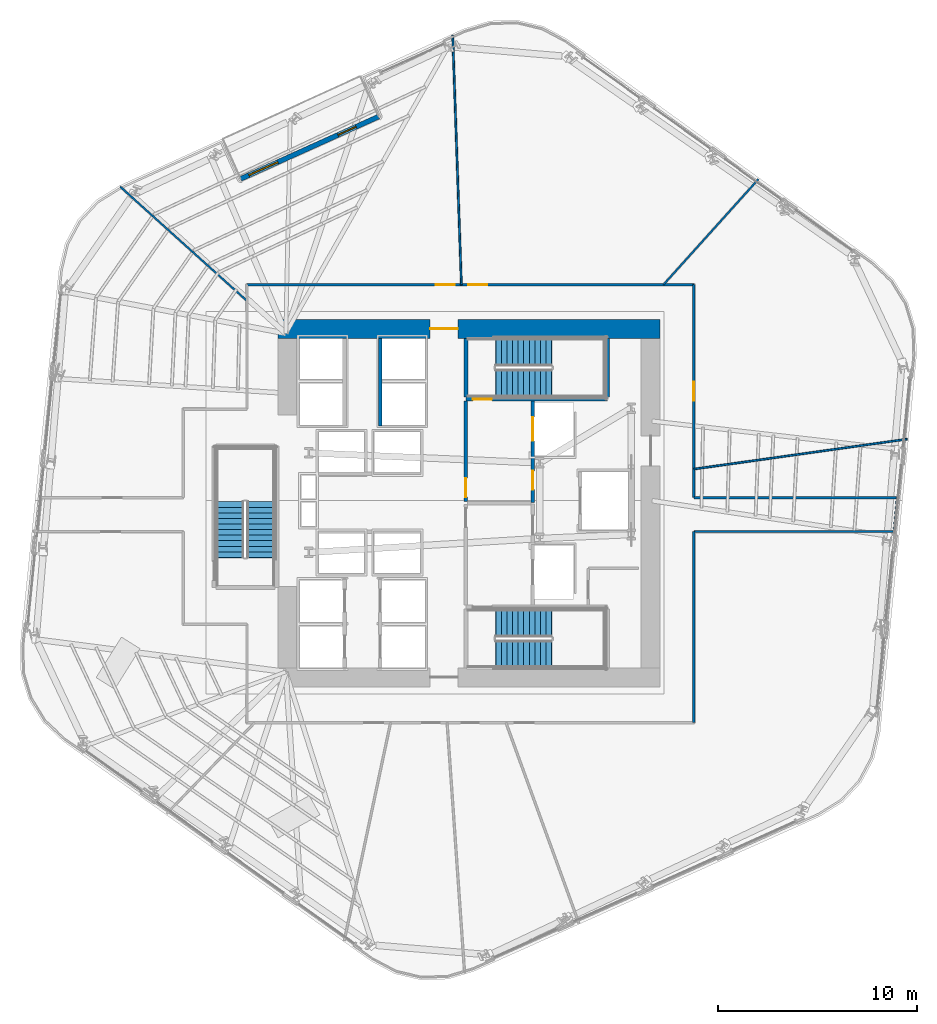
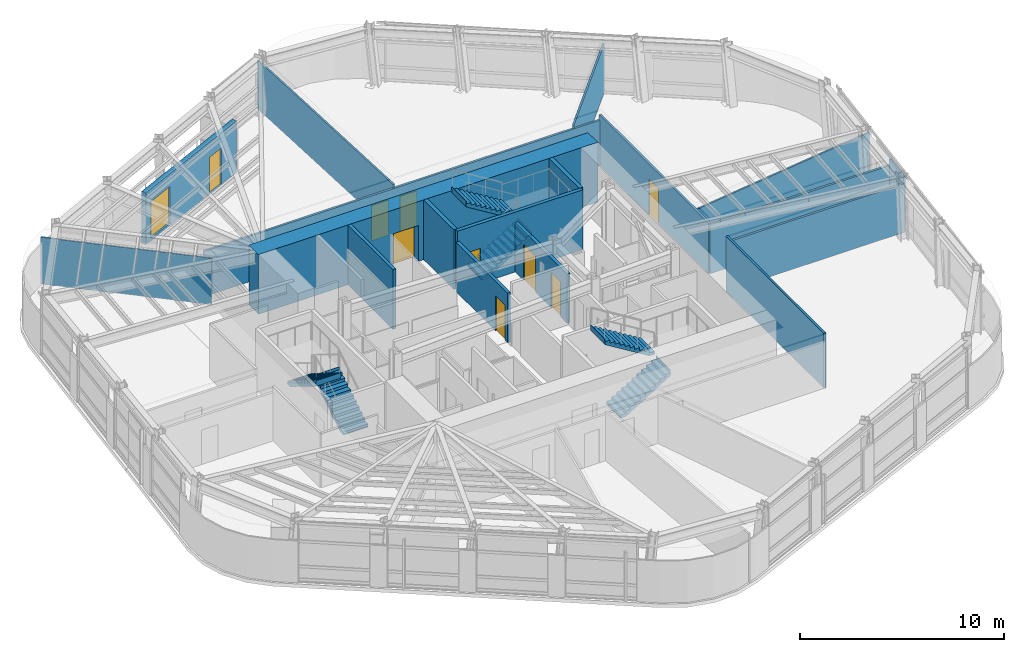
# One storey, part 10 of 16: 18 walls, 9 doors, 6 stair flights, 1 window, 10 openings, 3 elements without a shape of their own.
"""IFC4 building model written with IfcOpenShell, lengths in metres."""

from ifc_helpers import new_model, si_unit, direction, frame, frame_2d, origin, place, context, subcontext, project, spatial, polyline, rectangle, outline, extrude, material, layer, layer_set, type_object, element, fill, aggregate, save


model = new_model("IFC4")

# Units and contexts
model_context = context("Model", 3, precision=1e-05, world=origin(), true_north=direction((0.0, 1.0)))
body_context = subcontext(model_context, "Body", "Model", "MODEL_VIEW")
ifc_project = project(units=[si_unit("LENGTHUNIT", "METRE"), si_unit("AREAUNIT", "SQUARE_METRE"), si_unit("VOLUMEUNIT", "CUBIC_METRE"), si_unit("PLANEANGLEUNIT", "RADIAN"), si_unit("MASSUNIT", "GRAM", prefix="KILO")], contexts=[model_context])

# Site, building, storey
site_placement = place(None, origin())
site = spatial("IfcSite", under=ifc_project, at=site_placement, CompositionType="ELEMENT")
building_placement = place(site_placement, origin())
building = spatial("IfcBuilding", under=site, at=building_placement, Name="Valkerne Bourse Tower", CompositionType="ELEMENT")
storey_placement = place(building_placement, frame((0.0, 0.0, 127.60009765625)))
storey = spatial("IfcBuildingStorey", under=building, at=storey_placement, Name="L32", CompositionType="ELEMENT", Elevation=127.60009765625)

# Wall, opening, door
ifc_material_1 = material(Name="Concrete C70/85", Category="concrete")
ifc_layer_1 = layer(ifc_material_1, 0.949951171875)
ifc_layer_set_1 = layer_set([ifc_layer_1], Name="Concrete C70/85")
wall_type_1 = type_object("IfcWallType", Name="W-CORE-950", PredefinedType="SHEAR", material=ifc_layer_set_1)
wall_1_placement = place(storey_placement, frame((37.199951171875, 35.625, 0.0), z_axis=(0.0, 0.0, 1.0), x_axis=(1.0, 0.0, 0.0)))
wall_1 = element("IfcWall", 1, at=wall_1_placement, inside=storey, type_object=wall_type_1, Name="L32 Core Shear Wall NORTH", PredefinedType="SHEAR", context=body_context, shape_type="SweptSolid", body=[
    extrude(rectangle(XDim=19.199951171875, YDim=0.949951171875, at=frame_2d((9.60009765625, 0.0))), origin(), (0.0, 0.0, 1.0), 3.579833984375),
])
opening_1_placement = place(wall_1_placement, frame((7.64990234375, 0.0, 0.0)))
opening_1 = element("IfcOpeningElement", 2, at=opening_1_placement, cuts=wall_1, Name="Opening D-PL-1400", PredefinedType="OPENING", context=body_context, shape_type="SweptSolid", body=[
    extrude(rectangle(XDim=1.39990234375, YDim=2.14990234375, at=frame_2d((0.699951171875, 1.074951171875))), frame((0.0, 0.48486328125, 0.0), z_axis=(0.0, -1.0, 0.0), x_axis=(1.0, 0.0, 0.0)), (0.0, 0.0, 1.0), 0.969970703125),
])
ifc_material_2 = material(Name="Galvanised Painted Steel", Category="steel")
door_type_1 = type_object("IfcDoorType", Name="DR-PLT-1400", OperationType="DOUBLE_DOOR_SINGLE_SWING", PredefinedType="DOOR", material=ifc_material_2)
door_1_placement = place(opening_1_placement, origin())
door_1 = element("IfcDoor", 3, at=door_1_placement, inside=storey, type_object=door_type_1, Name="L32 North Passenger Lift Hall Fire Door", OperationType="DOUBLE_DOOR_SINGLE_SWING", OverallHeight=2.14990234375, OverallWidth=1.39990234375, PredefinedType="DOOR", context=body_context, shape_type="SweptSolid", body=[
    extrude(rectangle(XDim=1.39990234375, YDim=2.14990234375, at=frame_2d((0.699951171875, 1.074951171875))), frame((0.0, 0.02490234375, 0.0), z_axis=(0.0, -1.0, 0.0), x_axis=(1.0, 0.0, 0.0)), (0.0, 0.0, 1.0), 0.050048828125),
])
fill(opening_1, door_1)

# Walls
ifc_material_3 = material(Name="Gypsum Board Steel-Stud Partition", Category="steel")
ifc_layer_2 = layer(ifc_material_3, 0.117919921875)
ifc_layer_set_2 = layer_set([ifc_layer_2], Name="Gypsum Board Steel-Stud Partition")
wall_type_2 = type_object("IfcWallType", Name="W-CORR-140", PredefinedType="PARTITIONING", material=ifc_layer_set_2)
wall_2_placement = place(storey_placement, frame((58.10009765625, 27.14990234375, 0.0), z_axis=(0.0, 0.0, 1.0), x_axis=(1.0, 0.0, 0.0)))
element("IfcWall", 4, at=wall_2_placement, inside=storey, type_object=wall_type_2, Name="L32 Corridor Enclosure Wall", PredefinedType="PARTITIONING", context=body_context, shape_type="SweptSolid", body=[
    extrude(rectangle(XDim=10.21484375, YDim=0.117919921875, at=frame_2d((5.107421875, 0.0))), origin(), (0.0, 0.0, 1.0), 2.92236328125),
])
wall_3_placement = place(storey_placement, frame((68.31494140625, 27.14990234375, 0.0), z_axis=(0.0, 0.0, 1.0), x_axis=(-0.096205412963, -0.995361501424, 0.0)))
element("IfcWall", 5, at=wall_3_placement, inside=storey, type_object=wall_type_2, Name="L32 Corridor Enclosure Wall", PredefinedType="PARTITIONING", context=body_context, shape_type="SweptSolid", body=[
    extrude(rectangle(XDim=1.707763671875, YDim=0.117919921875, at=frame_2d((0.85400390625, 0.0))), origin(), (0.0, 0.0, 1.0), 3.27978515625),
])
wall_4_placement = place(storey_placement, frame((68.150634765625, 25.449951171875, 0.0), z_axis=(0.0, 0.0, 1.0), x_axis=(-1.0, 0.0, 0.0)))
element("IfcWall", 6, at=wall_4_placement, inside=storey, type_object=wall_type_2, Name="L32 Corridor Enclosure Wall", PredefinedType="PARTITIONING", context=body_context, shape_type="SweptSolid", body=[
    extrude(rectangle(XDim=10.050537109375, YDim=0.117919921875, at=frame_2d((5.025390625, 0.0))), origin(), (0.0, 0.0, 1.0), 2.92236328125),
])
wall_5_placement = place(storey_placement, frame((58.10009765625, 25.449951171875, 0.0), z_axis=(0.0, 0.0, 1.0), x_axis=(0.0, -1.0, 0.0)))
element("IfcWall", 7, at=wall_5_placement, inside=storey, type_object=wall_type_2, Name="L32 Corridor Enclosure Wall", PredefinedType="PARTITIONING", context=body_context, shape_type="SweptSolid", body=[
    extrude(rectangle(XDim=9.599853515625, YDim=0.117919921875, at=frame_2d((4.7998046875, 0.0))), origin(), (0.0, 0.0, 1.0), 3.27978515625),
])

# Wall, openings, doors
wall_6_placement = place(storey_placement, frame((35.64990234375, 37.85009765625, 0.0), z_axis=(0.0, 0.0, 1.0), x_axis=(1.0, 0.0, 0.0)))
wall_6 = element("IfcWall", 8, at=wall_6_placement, inside=storey, type_object=wall_type_2, Name="L32 Corridor Enclosure Wall", PredefinedType="PARTITIONING", context=body_context, shape_type="SweptSolid", body=[
    extrude(rectangle(XDim=22.4501953125, YDim=0.117919921875, at=frame_2d((11.22509765625, 0.0))), origin(), (0.0, 0.0, 1.0), 2.71142578125),
])
opening_2_placement = place(wall_6_placement, frame((9.489990234375, 0.0, 0.0)))
opening_2 = element("IfcOpeningElement", 9, at=opening_2_placement, cuts=wall_6, Name="Opening D-OF-950", PredefinedType="OPENING", context=body_context, shape_type="SweptSolid", body=[
    extrude(rectangle(XDim=0.949951171875, YDim=2.10009765625, at=frame_2d((0.47509765625, 1.050048828125))), frame((0.0, 0.06884765625, 0.0), z_axis=(0.0, -1.0, 0.0), x_axis=(1.0, 0.0, 0.0)), (0.0, 0.0, 1.0), 0.137939453125),
])
opening_3_placement = place(wall_6_placement, frame((11.110107421875, 0.0, 0.0)))
opening_3 = element("IfcOpeningElement", 10, at=opening_3_placement, cuts=wall_6, Name="Opening D-OF-950", PredefinedType="OPENING", context=body_context, shape_type="SweptSolid", body=[
    extrude(rectangle(XDim=0.949951171875, YDim=2.10009765625, at=frame_2d((0.47509765625, 1.050048828125))), frame((0.0, 0.06884765625, 0.0), z_axis=(0.0, -1.0, 0.0), x_axis=(1.0, 0.0, 0.0)), (0.0, 0.0, 1.0), 0.137939453125),
])
ifc_material_4 = material(Name="Architectural White Oak Timber", Category="wood")
door_type_2 = type_object("IfcDoorType", Name="DR-OFF-950", OperationType="NOTDEFINED", PredefinedType="DOOR", material=ifc_material_4)
door_2_placement = place(opening_2_placement, origin())
door_2 = element("IfcDoor", 11, at=door_2_placement, inside=storey, type_object=door_type_2, Name="L32 L32 Occupational Wellness Clinic 6 Door", OperationType="SINGLE_SWING_LEFT", OverallHeight=2.10009765625, OverallWidth=0.949951171875, PredefinedType="DOOR", context=body_context, shape_type="SweptSolid", body=[
    extrude(rectangle(XDim=0.949951171875, YDim=2.10009765625, at=frame_2d((0.47509765625, 1.050048828125))), frame((0.0, 0.02490234375, 0.0), z_axis=(0.0, -1.0, 0.0), x_axis=(1.0, 0.0, 0.0)), (0.0, 0.0, 1.0), 0.050048828125),
])
fill(opening_2, door_2)
door_3_placement = place(opening_3_placement, origin())
door_3 = element("IfcDoor", 12, at=door_3_placement, inside=storey, type_object=door_type_2, Name="L32 L32 Hospitality Catering Kitchen 8 Door", OperationType="SINGLE_SWING_LEFT", OverallHeight=2.10009765625, OverallWidth=0.949951171875, PredefinedType="DOOR", context=body_context, shape_type="SweptSolid", body=[
    extrude(rectangle(XDim=0.949951171875, YDim=2.10009765625, at=frame_2d((0.47509765625, 1.050048828125))), frame((0.0, 0.02490234375, 0.0), z_axis=(0.0, -1.0, 0.0), x_axis=(1.0, 0.0, 0.0)), (0.0, 0.0, 1.0), 0.050048828125),
])
fill(opening_3, door_3)

# Wall, opening, door
wall_7_placement = place(storey_placement, frame((58.10009765625, 37.85009765625, 0.0), z_axis=(0.0, 0.0, 1.0), x_axis=(0.0, -1.0, 0.0)))
wall_7 = element("IfcWall", 13, at=wall_7_placement, inside=storey, type_object=wall_type_2, Name="L32 Corridor Enclosure Wall", PredefinedType="PARTITIONING", context=body_context, shape_type="SweptSolid", body=[
    extrude(rectangle(XDim=10.7001953125, YDim=0.117919921875, at=frame_2d((5.35009765625, 0.0))), origin(), (0.0, 0.0, 1.0), 3.021240234375),
])
opening_4_placement = place(wall_7_placement, frame((4.875, 0.0, 0.0)))
opening_4 = element("IfcOpeningElement", 14, at=opening_4_placement, cuts=wall_7, Name="Opening D-OF-950", PredefinedType="OPENING", context=body_context, shape_type="SweptSolid", body=[
    extrude(rectangle(XDim=0.949951171875, YDim=2.10009765625, at=frame_2d((0.47509765625, 1.050048828125))), frame((0.0, 0.06884765625, 0.0), z_axis=(0.0, -1.0, 0.0), x_axis=(1.0, 0.0, 0.0)), (0.0, 0.0, 1.0), 0.137939453125),
])
door_4_placement = place(opening_4_placement, origin())
door_4 = element("IfcDoor", 15, at=door_4_placement, inside=storey, type_object=door_type_2, Name="L32 L32 Hospitality Catering Kitchen 7 Door", OperationType="SINGLE_SWING_LEFT", OverallHeight=2.10009765625, OverallWidth=0.949951171875, PredefinedType="DOOR", context=body_context, shape_type="SweptSolid", body=[
    extrude(rectangle(XDim=0.949951171875, YDim=2.10009765625, at=frame_2d((0.47509765625, 1.050048828125))), frame((0.0, 0.02490234375, 0.0), z_axis=(0.0, -1.0, 0.0), x_axis=(1.0, 0.0, 0.0)), (0.0, 0.0, 1.0), 0.050048828125),
])
fill(opening_4, door_4)

# Wall, openings, door, window
ifc_material_5 = material(Name="Bronze Anodised Aluminium AA 6063-T6", Category="aluminium")
ifc_layer_3 = layer(ifc_material_5, 0.25)
ifc_layer_set_3 = layer_set([ifc_layer_3], Name="Bronze Anodised Aluminium AA 6063-T6")
wall_type_3 = type_object("IfcWallType", Name="W-EXT-TER-250", PredefinedType="STANDARD", material=ifc_layer_set_3)
wall_8_placement = place(storey_placement, frame((42.259033203125, 46.291015625, 0.0), z_axis=(0.0, 0.0, 1.0), x_axis=(-0.911403248799, -0.411514420257, 0.0)))
wall_8 = element("IfcWall", 16, at=wall_8_placement, inside=storey, type_object=wall_type_3, Name="L32 V-Notch Terrace Glazed Access Wall", PredefinedType="STANDARD", context=body_context, shape_type="SweptSolid", body=[
    extrude(rectangle(XDim=7.599853515625, YDim=0.25, at=frame_2d((3.7998046875, 0.0))), origin(), (0.0, 0.0, 1.0), 3.111572265625),
])
opening_5_placement = place(wall_8_placement, frame((1.239990234375, 0.0, 0.0)))
opening_5 = element("IfcOpeningElement", 17, at=opening_5_placement, cuts=wall_8, Name="Opening DT-1000", PredefinedType="OPENING", context=body_context, shape_type="SweptSolid", body=[
    extrude(rectangle(XDim=1.0, YDim=2.199951171875, at=frame_2d((0.5, 1.10009765625))), frame((0.0, 0.135009765625, 0.0), z_axis=(0.0, -1.0, 0.0), x_axis=(1.0, 0.0, 0.0)), (0.0, 0.0, 1.0), 0.27001953125),
])
opening_6_placement = place(wall_8_placement, frame((5.550048828125, 0.0, 0.14990234375)))
opening_6 = element("IfcOpeningElement", 18, at=opening_6_placement, cuts=wall_8, Name="Opening WN-04", PredefinedType="OPENING", context=body_context, shape_type="SweptSolid", body=[
    extrude(rectangle(XDim=1.60009765625, YDim=2.199951171875, at=frame_2d((0.800048828125, 1.10009765625))), frame((0.0, 0.135009765625, 0.0), z_axis=(0.0, -1.0, 0.0), x_axis=(1.0, 0.0, 0.0)), (0.0, 0.0, 1.0), 0.27001953125),
])
ifc_material_6 = material(Name="Glass IGU Low-E Double Glazed", Category="glass")
door_type_3 = type_object("IfcDoorType", Name="DR-EXT-TER-1000", OperationType="NOTDEFINED", PredefinedType="DOOR", material=ifc_material_6)
door_5_placement = place(opening_5_placement, origin())
door_5 = element("IfcDoor", 19, at=door_5_placement, inside=storey, type_object=door_type_3, Name="L32 V-Notch Outdoor Terrace Access Door", OperationType="SINGLE_SWING_LEFT", OverallHeight=2.199951171875, OverallWidth=1.0, PredefinedType="DOOR", context=body_context, shape_type="SweptSolid", body=[
    extrude(rectangle(XDim=1.0, YDim=2.199951171875, at=frame_2d((0.5, 1.10009765625))), frame((0.0, 0.02490234375, 0.0), z_axis=(0.0, -1.0, 0.0), x_axis=(1.0, 0.0, 0.0)), (0.0, 0.0, 1.0), 0.050048828125),
])
fill(opening_5, door_5)
window_type = type_object("IfcWindowType", Name="WIN-TER-1600X2200", PartitioningType="SINGLE_PANEL", PredefinedType="WINDOW", material=ifc_material_6)
window_placement = place(opening_6_placement, origin())
window = element("IfcWindow", 20, at=window_placement, inside=storey, type_object=window_type, Name="L32 V-Notch Terrace Sidelight Window", OverallHeight=2.199951171875, OverallWidth=1.60009765625, PartitioningType="SINGLE_PANEL", PredefinedType="WINDOW", context=body_context, shape_type="SweptSolid", body=[
    extrude(rectangle(XDim=1.60009765625, YDim=2.199951171875, at=frame_2d((0.800048828125, 1.10009765625))), frame((0.0, 0.030029296875, 0.0), z_axis=(0.0, -1.0, 0.0), x_axis=(1.0, 0.0, 0.0)), (0.0, 0.0, 1.0), 0.06005859375),
])
fill(opening_6, window)

# Wall, opening, door
ifc_material_7 = material(Name="Gypsum Fire-Rated Shaftwall", Category="gypsum")
ifc_layer_4 = layer(ifc_material_7, 0.179931640625)
ifc_layer_set_4 = layer_set([ifc_layer_4], Name="Gypsum Fire-Rated Shaftwall")
wall_type_4 = type_object("IfcWallType", Name="W-FSAE-180", PredefinedType="PARTITIONING", material=ifc_layer_set_4)
wall_9_placement = place(storey_placement, frame((46.64990234375, 26.9599609375, 0.0), z_axis=(0.0, 0.0, 1.0), x_axis=(0.0, 1.0, 0.0)))
wall_9 = element("IfcWall", 21, at=wall_9_placement, inside=storey, type_object=wall_type_4, Name="L32 FSAE-2 Lobby West Fire Wall", PredefinedType="PARTITIONING", context=body_context, shape_type="SweptSolid", body=[
    extrude(rectangle(XDim=5.0400390625, YDim=0.179931640625, at=frame_2d((2.52001953125, 0.0))), origin(), (0.0, 0.0, 1.0), 2.9580078125),
])
opening_7_placement = place(wall_9_placement, frame((0.219970703125, 0.0, 0.0)))
opening_7 = element("IfcOpeningElement", 22, at=opening_7_placement, cuts=wall_9, Name="Opening D-FS-950", PredefinedType="OPENING", context=body_context, shape_type="SweptSolid", body=[
    extrude(rectangle(XDim=0.949951171875, YDim=2.10009765625, at=frame_2d((0.47509765625, 1.050048828125))), frame((0.0, 0.099853515625, 0.0), z_axis=(0.0, -1.0, 0.0), x_axis=(1.0, 0.0, 0.0)), (0.0, 0.0, 1.0), 0.199951171875),
])
door_type_4 = type_object("IfcDoorType", Name="DR-FSAE-950", OperationType="NOTDEFINED", PredefinedType="DOOR", material=ifc_material_2)
door_6_placement = place(opening_7_placement, origin())
door_6 = element("IfcDoor", 23, at=door_6_placement, inside=storey, type_object=door_type_4, Name="L32 FSAE-2 Hall Link Fire Door", OperationType="SINGLE_SWING_RIGHT", OverallHeight=2.10009765625, OverallWidth=0.949951171875, PredefinedType="DOOR", context=body_context, shape_type="SweptSolid", body=[
    extrude(rectangle(XDim=0.949951171875, YDim=2.10009765625, at=frame_2d((0.47509765625, 1.050048828125))), frame((0.0, 0.02490234375, 0.0), z_axis=(0.0, -1.0, 0.0), x_axis=(1.0, 0.0, 0.0)), (0.0, 0.0, 1.0), 0.050048828125),
])
fill(opening_7, door_6)

# Wall, openings, doors
wall_10_placement = place(storey_placement, frame((50.0, 26.919921875, 0.0), z_axis=(0.0, 0.0, 1.0), x_axis=(0.0, 1.0, 0.0)))
wall_10 = element("IfcWall", 24, at=wall_10_placement, inside=storey, type_object=wall_type_4, Name="L32 FSAE-2 Lobby & Shaft Front Wall", PredefinedType="PARTITIONING", context=body_context, shape_type="SweptSolid", body=[
    extrude(rectangle(XDim=5.080078125, YDim=0.179931640625, at=frame_2d((2.5400390625, 0.0))), origin(), (0.0, 0.0, 1.0), 2.9580078125),
])
opening_8_placement = place(wall_10_placement, frame((3.080078125, 0.0, 0.0)))
opening_8 = element("IfcOpeningElement", 25, at=opening_8_placement, cuts=wall_10, Name="Opening LD-1200", PredefinedType="OPENING", context=body_context, shape_type="SweptSolid", body=[
    extrude(rectangle(XDim=1.199951171875, YDim=2.14990234375, at=frame_2d((0.60009765625, 1.074951171875))), frame((0.0, 0.099853515625, 0.0), z_axis=(0.0, -1.0, 0.0), x_axis=(1.0, 0.0, 0.0)), (0.0, 0.0, 1.0), 0.199951171875),
])
opening_9_placement = place(wall_10_placement, frame((0.6298828125, 0.0, 0.0)))
opening_9 = element("IfcOpeningElement", 26, at=opening_9_placement, cuts=wall_10, Name="Opening D-FS-950", PredefinedType="OPENING", context=body_context, shape_type="SweptSolid", body=[
    extrude(rectangle(XDim=0.949951171875, YDim=2.10009765625, at=frame_2d((0.47509765625, 1.050048828125))), frame((0.0, 0.099853515625, 0.0), z_axis=(0.0, -1.0, 0.0), x_axis=(1.0, 0.0, 0.0)), (0.0, 0.0, 1.0), 0.199951171875),
])
door_7_placement = place(opening_9_placement, origin())
door_7 = element("IfcDoor", 27, at=door_7_placement, inside=storey, type_object=door_type_4, Name="L32 FSAE-2 Lobby Corridor Fire Door", OperationType="SINGLE_SWING_RIGHT", OverallHeight=2.10009765625, OverallWidth=0.949951171875, PredefinedType="DOOR", context=body_context, shape_type="SweptSolid", body=[
    extrude(rectangle(XDim=0.949951171875, YDim=2.10009765625, at=frame_2d((0.47509765625, 1.050048828125))), frame((0.0, 0.02490234375, 0.0), z_axis=(0.0, -1.0, 0.0), x_axis=(1.0, 0.0, 0.0)), (0.0, 0.0, 1.0), 0.050048828125),
])
fill(opening_9, door_7)
ifc_material_8 = material(Name="Stainless Steel AISI 316", Category="steel")
door_type_5 = type_object("IfcDoorType", Name="DR-LIFT-1200", OperationType="DOUBLE_DOOR_SLIDING", PredefinedType="DOOR", material=ifc_material_8)
door_8_placement = place(opening_8_placement, origin())
door_8 = element("IfcDoor", 28, at=door_8_placement, inside=storey, type_object=door_type_5, Name="L32 FSAE-2 Firefighting Lift Landing Door", OperationType="DOUBLE_DOOR_SLIDING", OverallHeight=2.14990234375, OverallWidth=1.199951171875, PredefinedType="DOOR", context=body_context, shape_type="SweptSolid", body=[
    extrude(rectangle(XDim=1.199951171875, YDim=2.14990234375, at=frame_2d((0.60009765625, 1.074951171875))), frame((0.0, 0.02490234375, 0.0), z_axis=(0.0, -1.0, 0.0), x_axis=(1.0, 0.0, 0.0)), (0.0, 0.0, 1.0), 0.050048828125),
])
fill(opening_8, door_8)

# Walls
ifc_material_9 = material(Name="CMU Blockwork Masonry 200mm", Category="masonry")
ifc_layer_5 = layer(ifc_material_9, 0.179931640625)
ifc_layer_set_5 = layer_set([ifc_layer_5], Name="CMU Blockwork Masonry 200mm")
wall_type_5 = type_object("IfcWallType", Name="W-LFT-180", PredefinedType="SOLIDWALL", material=ifc_layer_set_5)
wall_11_placement = place(storey_placement, frame((42.35009765625, 30.75, 0.0), z_axis=(0.0, 0.0, 1.0), x_axis=(0.0, 1.0, 0.0)))
element("IfcWall", 29, at=wall_11_placement, inside=storey, type_object=wall_type_5, Name="L32 Mid-Zone East Cars Front Wall", PredefinedType="SOLIDWALL", context=body_context, shape_type="SweptSolid", body=[
    extrude(rectangle(XDim=4.39990234375, YDim=0.179931640625, at=frame_2d((2.199951171875, 0.0))), origin(), (0.0, 0.0, 1.0), 3.579833984375),
])
ifc_layer_6 = layer(ifc_material_3, 0.092041015625)
ifc_layer_set_6 = layer_set([ifc_layer_6], Name="Gypsum Board Steel-Stud Partition")
wall_type_6 = type_object("IfcWallType", Name="W-PART-115", PredefinedType="PARTITIONING", material=ifc_layer_set_6)
wall_12_placement = place(storey_placement, frame((58.10498046875, 28.5888671875, 0.0), z_axis=(0.0, 0.0, 1.0), x_axis=(0.990269858506, 0.13916036553, 0.0)))
element("IfcWall", 30, at=wall_12_placement, inside=storey, type_object=wall_type_6, Name="L32 Suite Partition P04", PredefinedType="PARTITIONING", context=body_context, shape_type="SweptSolid", body=[
    extrude(rectangle(XDim=10.810546875, YDim=0.092041015625, at=frame_2d((5.4052734375, 0.0))), origin(), (0.0, 0.0, 1.0), 2.92236328125),
])
wall_13_placement = place(storey_placement, frame((56.573974609375, 37.85498046875, 0.0), z_axis=(0.0, 0.0, 1.0), x_axis=(0.669127463458, 0.743147655346, 0.0)))
element("IfcWall", 31, at=wall_13_placement, inside=storey, type_object=wall_type_6, Name="L32 Suite Partition P05", PredefinedType="PARTITIONING", context=body_context, shape_type="SweptSolid", body=[
    extrude(rectangle(XDim=7.127685546875, YDim=0.092041015625, at=frame_2d((3.56396484375, 0.0))), origin(), (0.0, 0.0, 1.0), 2.92236328125),
])
wall_14_placement = place(storey_placement, frame((46.4208984375, 37.85498046875, 0.0), z_axis=(0.0, 0.0, 1.0), x_axis=(-0.03488582918, 0.999391304206, 0.0)))
element("IfcWall", 32, at=wall_14_placement, inside=storey, type_object=wall_type_6, Name="L32 Suite Partition P06", PredefinedType="PARTITIONING", context=body_context, shape_type="SweptSolid", body=[
    extrude(rectangle(XDim=12.52685546875, YDim=0.092041015625, at=frame_2d((6.263427734375, 0.0))), origin(), (0.0, 0.0, 1.0), 2.92236328125),
])
wall_15_placement = place(storey_placement, frame((35.64501953125, 37.0439453125, 0.0), z_axis=(0.0, 0.0, 1.0), x_axis=(-0.743138092325, 0.669138084206, 0.0)))
element("IfcWall", 33, at=wall_15_placement, inside=storey, type_object=wall_type_6, Name="L32 Suite Partition P07", PredefinedType="PARTITIONING", context=body_context, shape_type="SweptSolid", body=[
    extrude(rectangle(XDim=8.55810546875, YDim=0.092041015625, at=frame_2d((4.279052734375, 0.0))), origin(), (0.0, 0.0, 1.0), 2.80029296875),
])

# Wall, opening, door
ifc_material_10 = material(Name="Concrete C40/50", Category="concrete")
ifc_layer_7 = layer(ifc_material_10, 0.199951171875)
ifc_layer_set_7 = layer_set([ifc_layer_7], Name="Concrete C40/50")
wall_type_7 = type_object("IfcWallType", Name="W-SHF-200", PredefinedType="SHEAR", material=ifc_layer_set_7)
wall_16_placement = place(storey_placement, frame((46.64990234375, 32.10009765625, 0.0), z_axis=(0.0, 0.0, 1.0), x_axis=(1.0, 0.0, 0.0)))
wall_16 = element("IfcWall", 34, at=wall_16_placement, inside=storey, type_object=wall_type_7, Name="L32 Exit Stair ST-2 Structural Shaft Wall South", PredefinedType="SHEAR", context=body_context, shape_type="SweptSolid", body=[
    extrude(rectangle(XDim=7.10009765625, YDim=0.199951171875, at=frame_2d((3.550048828125, 0.0))), origin(), (0.0, 0.0, 1.0), 3.579833984375),
])
opening_10_placement = place(wall_16_placement, frame((0.35009765625, 0.0, 0.0)))
opening_10 = element("IfcOpeningElement", 35, at=opening_10_placement, cuts=wall_16, Name="Opening D-ST-950", PredefinedType="OPENING", context=body_context, shape_type="SweptSolid", body=[
    extrude(rectangle(XDim=0.949951171875, YDim=2.10009765625, at=frame_2d((0.47509765625, 1.050048828125))), frame((0.0, 0.10986328125, 0.0), z_axis=(0.0, -1.0, 0.0), x_axis=(1.0, 0.0, 0.0)), (0.0, 0.0, 1.0), 0.219970703125),
])
door_type_6 = type_object("IfcDoorType", Name="DR-STAIR-950", OperationType="NOTDEFINED", PredefinedType="DOOR", material=ifc_material_2)
door_9_placement = place(opening_10_placement, origin())
door_9 = element("IfcDoor", 36, at=door_9_placement, inside=storey, type_object=door_type_6, Name="L32 Exit Stair ST-2 Door", OperationType="SINGLE_SWING_LEFT", OverallHeight=2.10009765625, OverallWidth=0.949951171875, PredefinedType="DOOR", context=body_context, shape_type="SweptSolid", body=[
    extrude(rectangle(XDim=0.949951171875, YDim=2.10009765625, at=frame_2d((0.47509765625, 1.050048828125))), frame((0.0, 0.02490234375, 0.0), z_axis=(0.0, -1.0, 0.0), x_axis=(1.0, 0.0, 0.0)), (0.0, 0.0, 1.0), 0.050048828125),
])
fill(opening_10, door_9)

# Walls
for number, where, z_axis, x_axis, name in (
    (37, (46.64990234375, 32.199951171875, 0.0), (0.0, 0.0, 1.0), (0.0, 1.0, 0.0), "L32 Exit Stair ST-2 Structural Shaft Wall West"),
    (38, (53.75, 32.199951171875, 0.0), (0.0, 0.0, 1.0), (0.0, 1.0, 0.0), "L32 Exit Stair ST-2 Structural Shaft Wall East"),
):
    element("IfcWall", number, at=place(storey_placement, frame(where, z_axis=z_axis, x_axis=x_axis)), inside=storey, type_object=wall_type_7, Name=name, PredefinedType="SHEAR", context=body_context, shape_type="SweptSolid", body=[
        extrude(rectangle(XDim=2.949951171875, YDim=0.199951171875, at=frame_2d((1.47509765625, 0.0))), origin(), (0.0, 0.0, 1.0), 3.579833984375),
    ])

# Stair, stair flights
stair_type = type_object("IfcStairType", Name="ST-CORE-1400", PredefinedType="HALF_TURN_STAIR", material=ifc_material_10)
stair_1_placement = place(storey_placement, origin())
stair_1 = element("IfcStair", 39, at=stair_1_placement, inside=storey, type_object=stair_type, Name="L32 ST-1", PredefinedType="HALF_TURN_STAIR")
stair_flight_type = type_object("IfcStairFlightType", Name="STF-CORE-1400", PredefinedType="STRAIGHT", material=ifc_material_10)
stair_flight_1_placement = place(storey_placement, frame((48.14990234375, 19.300048828125, 0.0), z_axis=(0.0, 0.0, 1.0), x_axis=(1.0, 0.0, 0.0)))
stair_flight_1 = element("IfcStairFlight", 40, at=stair_flight_1_placement, type_object=stair_flight_type, Name="ST-1 flight 1", NumberOfRisers=11, NumberOfTreads=10, PredefinedType="STRAIGHT", RiserHeight=0.172727273, TreadLength=0.28, context=body_context, shape_type="SweptSolid", body=[
    extrude(outline(polyline([(-0.02001953125, 0.0), (-0.02001953125, 0.044921875), (0.0, 0.044921875), (0.0, 0.172607421875), (0.280029296875, 0.172607421875), (0.280029296875, 0.345458984375), (0.56005859375, 0.345458984375), (0.56005859375, 0.51806640625), (0.840087890625, 0.51806640625), (0.840087890625, 0.69091796875), (1.1201171875, 0.69091796875), (1.1201171875, 0.863525390625), (1.39990234375, 0.863525390625), (1.39990234375, 1.036376953125), (1.679931640625, 1.036376953125), (1.679931640625, 1.208984375), (1.9599609375, 1.208984375), (1.9599609375, 1.3818359375), (2.239990234375, 1.3818359375), (2.239990234375, 1.554443359375), (2.52001953125, 1.554443359375), (2.52001953125, 1.727294921875), (2.800048828125, 1.727294921875), (2.800048828125, 1.89990234375), (2.820068359375, 1.89990234375), (2.820068359375, 1.780029296875), (2.800048828125, 1.551025390625), (0.285400390625, 0.0), (-0.02001953125, 0.0)])), frame((0.0, 0.699951171875, 0.0), z_axis=(0.0, -1.0, 0.0), x_axis=(1.0, 0.0, 0.0)), (0.0, 0.0, 1.0), 1.39990234375),
])
stair_flight_2_placement = place(storey_placement, frame((50.949951171875, 20.85009765625, 1.89990234375), z_axis=(0.0, 0.0, 1.0), x_axis=(-1.0, 0.0, 0.0)))
stair_flight_2 = element("IfcStairFlight", 41, at=stair_flight_2_placement, type_object=stair_flight_type, Name="ST-1 flight 2", NumberOfRisers=11, NumberOfTreads=10, PredefinedType="STRAIGHT", RiserHeight=0.172727273, TreadLength=0.28, context=body_context, shape_type="SweptSolid", body=[
    extrude(outline(polyline([(-0.02001953125, 0.0), (-0.02001953125, 0.044921875), (0.0, 0.044921875), (0.0, 0.172607421875), (0.280029296875, 0.172607421875), (0.280029296875, 0.345458984375), (0.56005859375, 0.345458984375), (0.56005859375, 0.51806640625), (0.840087890625, 0.51806640625), (0.840087890625, 0.69091796875), (1.1201171875, 0.69091796875), (1.1201171875, 0.863525390625), (1.39990234375, 0.863525390625), (1.39990234375, 1.036376953125), (1.679931640625, 1.036376953125), (1.679931640625, 1.208984375), (1.9599609375, 1.208984375), (1.9599609375, 1.3818359375), (2.239990234375, 1.3818359375), (2.239990234375, 1.554443359375), (2.52001953125, 1.554443359375), (2.52001953125, 1.727294921875), (2.800048828125, 1.727294921875), (2.800048828125, 1.89990234375), (2.820068359375, 1.89990234375), (2.820068359375, 1.780029296875), (2.800048828125, 1.551025390625), (0.285400390625, 0.0), (-0.02001953125, 0.0)])), frame((0.0, 0.699951171875, 0.0), z_axis=(0.0, -1.0, 0.0), x_axis=(1.0, 0.0, 0.0)), (0.0, 0.0, 1.0), 1.39990234375),
])
aggregate(stair_1, [stair_flight_1, stair_flight_2])

stair_2_placement = place(storey_placement, origin())
stair_2 = element("IfcStair", 42, at=stair_2_placement, inside=storey, type_object=stair_type, Name="L32 ST-2", PredefinedType="HALF_TURN_STAIR")
stair_flight_3_placement = place(storey_placement, frame((48.14990234375, 32.89990234375, 0.0), z_axis=(0.0, 0.0, 1.0), x_axis=(1.0, 0.0, 0.0)))
stair_flight_3 = element("IfcStairFlight", 43, at=stair_flight_3_placement, type_object=stair_flight_type, Name="ST-2 flight 1", NumberOfRisers=11, NumberOfTreads=10, PredefinedType="STRAIGHT", RiserHeight=0.172727273, TreadLength=0.28, context=body_context, shape_type="SweptSolid", body=[
    extrude(outline(polyline([(-0.02001953125, 0.0), (-0.02001953125, 0.044921875), (0.0, 0.044921875), (0.0, 0.172607421875), (0.280029296875, 0.172607421875), (0.280029296875, 0.345458984375), (0.56005859375, 0.345458984375), (0.56005859375, 0.51806640625), (0.840087890625, 0.51806640625), (0.840087890625, 0.69091796875), (1.1201171875, 0.69091796875), (1.1201171875, 0.863525390625), (1.39990234375, 0.863525390625), (1.39990234375, 1.036376953125), (1.679931640625, 1.036376953125), (1.679931640625, 1.208984375), (1.9599609375, 1.208984375), (1.9599609375, 1.3818359375), (2.239990234375, 1.3818359375), (2.239990234375, 1.554443359375), (2.52001953125, 1.554443359375), (2.52001953125, 1.727294921875), (2.800048828125, 1.727294921875), (2.800048828125, 1.89990234375), (2.820068359375, 1.89990234375), (2.820068359375, 1.780029296875), (2.800048828125, 1.551025390625), (0.285400390625, 0.0), (-0.02001953125, 0.0)])), frame((0.0, 0.699951171875, 0.0), z_axis=(0.0, -1.0, 0.0), x_axis=(1.0, 0.0, 0.0)), (0.0, 0.0, 1.0), 1.39990234375),
])
stair_flight_4_placement = place(storey_placement, frame((50.949951171875, 34.449951171875, 1.89990234375), z_axis=(0.0, 0.0, 1.0), x_axis=(-1.0, 0.0, 0.0)))
stair_flight_4 = element("IfcStairFlight", 44, at=stair_flight_4_placement, type_object=stair_flight_type, Name="ST-2 flight 2", NumberOfRisers=11, NumberOfTreads=10, PredefinedType="STRAIGHT", RiserHeight=0.172727273, TreadLength=0.28, context=body_context, shape_type="SweptSolid", body=[
    extrude(outline(polyline([(-0.02001953125, 0.0), (-0.02001953125, 0.044921875), (0.0, 0.044921875), (0.0, 0.172607421875), (0.280029296875, 0.172607421875), (0.280029296875, 0.345458984375), (0.56005859375, 0.345458984375), (0.56005859375, 0.51806640625), (0.840087890625, 0.51806640625), (0.840087890625, 0.69091796875), (1.1201171875, 0.69091796875), (1.1201171875, 0.863525390625), (1.39990234375, 0.863525390625), (1.39990234375, 1.036376953125), (1.679931640625, 1.036376953125), (1.679931640625, 1.208984375), (1.9599609375, 1.208984375), (1.9599609375, 1.3818359375), (2.239990234375, 1.3818359375), (2.239990234375, 1.554443359375), (2.52001953125, 1.554443359375), (2.52001953125, 1.727294921875), (2.800048828125, 1.727294921875), (2.800048828125, 1.89990234375), (2.820068359375, 1.89990234375), (2.820068359375, 1.780029296875), (2.800048828125, 1.551025390625), (0.285400390625, 0.0), (-0.02001953125, 0.0)])), frame((0.0, 0.699951171875, 0.0), z_axis=(0.0, -1.0, 0.0), x_axis=(1.0, 0.0, 0.0)), (0.0, 0.0, 1.0), 1.39990234375),
])
aggregate(stair_2, [stair_flight_3, stair_flight_4])

stair_3_placement = place(storey_placement, origin())
stair_3 = element("IfcStair", 45, at=stair_3_placement, inside=storey, type_object=stair_type, Name="L32 ST-3", PredefinedType="HALF_TURN_STAIR")
stair_flight_5_placement = place(storey_placement, frame((36.35009765625, 24.14990234375, 0.0), z_axis=(0.0, 0.0, 1.0), x_axis=(0.0, 1.0, 0.0)))
stair_flight_5 = element("IfcStairFlight", 46, at=stair_flight_5_placement, type_object=stair_flight_type, Name="ST-3 flight 1", NumberOfRisers=11, NumberOfTreads=10, PredefinedType="STRAIGHT", RiserHeight=0.172727273, TreadLength=0.28, context=body_context, shape_type="SweptSolid", body=[
    extrude(outline(polyline([(-0.02001953125, 0.0), (-0.02001953125, 0.044921875), (0.0, 0.044921875), (0.0, 0.172607421875), (0.280029296875, 0.172607421875), (0.280029296875, 0.345458984375), (0.56005859375, 0.345458984375), (0.56005859375, 0.51806640625), (0.840087890625, 0.51806640625), (0.840087890625, 0.69091796875), (1.1201171875, 0.69091796875), (1.1201171875, 0.863525390625), (1.39990234375, 0.863525390625), (1.39990234375, 1.036376953125), (1.679931640625, 1.036376953125), (1.679931640625, 1.208984375), (1.9599609375, 1.208984375), (1.9599609375, 1.3818359375), (2.239990234375, 1.3818359375), (2.239990234375, 1.554443359375), (2.52001953125, 1.554443359375), (2.52001953125, 1.727294921875), (2.800048828125, 1.727294921875), (2.800048828125, 1.89990234375), (2.820068359375, 1.89990234375), (2.820068359375, 1.780029296875), (2.800048828125, 1.551025390625), (0.285400390625, 0.0), (-0.02001953125, 0.0)])), frame((0.0, 0.699951171875, 0.0), z_axis=(0.0, -1.0, 0.0), x_axis=(1.0, 0.0, 0.0)), (0.0, 0.0, 1.0), 1.39990234375),
])
stair_flight_6_placement = place(storey_placement, frame((34.800048828125, 26.949951171875, 1.89990234375), z_axis=(0.0, 0.0, 1.0), x_axis=(0.0, -1.0, 0.0)))
stair_flight_6 = element("IfcStairFlight", 47, at=stair_flight_6_placement, type_object=stair_flight_type, Name="ST-3 flight 2", NumberOfRisers=11, NumberOfTreads=10, PredefinedType="STRAIGHT", RiserHeight=0.172727273, TreadLength=0.28, context=body_context, shape_type="SweptSolid", body=[
    extrude(outline(polyline([(-0.02001953125, 0.0), (-0.02001953125, 0.044921875), (0.0, 0.044921875), (0.0, 0.172607421875), (0.280029296875, 0.172607421875), (0.280029296875, 0.345458984375), (0.56005859375, 0.345458984375), (0.56005859375, 0.51806640625), (0.840087890625, 0.51806640625), (0.840087890625, 0.69091796875), (1.1201171875, 0.69091796875), (1.1201171875, 0.863525390625), (1.39990234375, 0.863525390625), (1.39990234375, 1.036376953125), (1.679931640625, 1.036376953125), (1.679931640625, 1.208984375), (1.9599609375, 1.208984375), (1.9599609375, 1.3818359375), (2.239990234375, 1.3818359375), (2.239990234375, 1.554443359375), (2.52001953125, 1.554443359375), (2.52001953125, 1.727294921875), (2.800048828125, 1.727294921875), (2.800048828125, 1.89990234375), (2.820068359375, 1.89990234375), (2.820068359375, 1.780029296875), (2.800048828125, 1.551025390625), (0.285400390625, 0.0), (-0.02001953125, 0.0)])), frame((0.0, 0.699951171875, 0.0), z_axis=(0.0, -1.0, 0.0), x_axis=(1.0, 0.0, 0.0)), (0.0, 0.0, 1.0), 1.39990234375),
])
aggregate(stair_3, [stair_flight_5, stair_flight_6])

save(model, "model.ifc")
